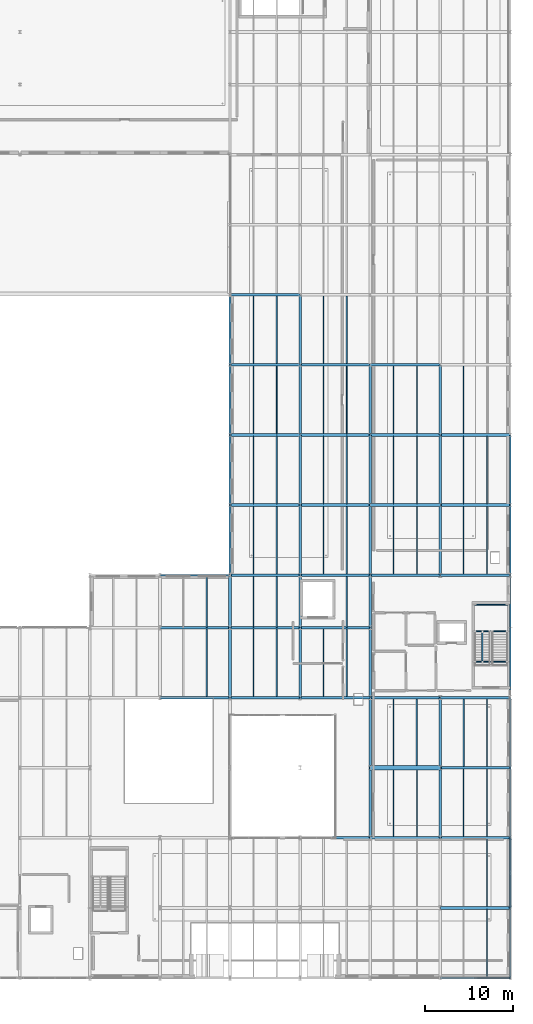
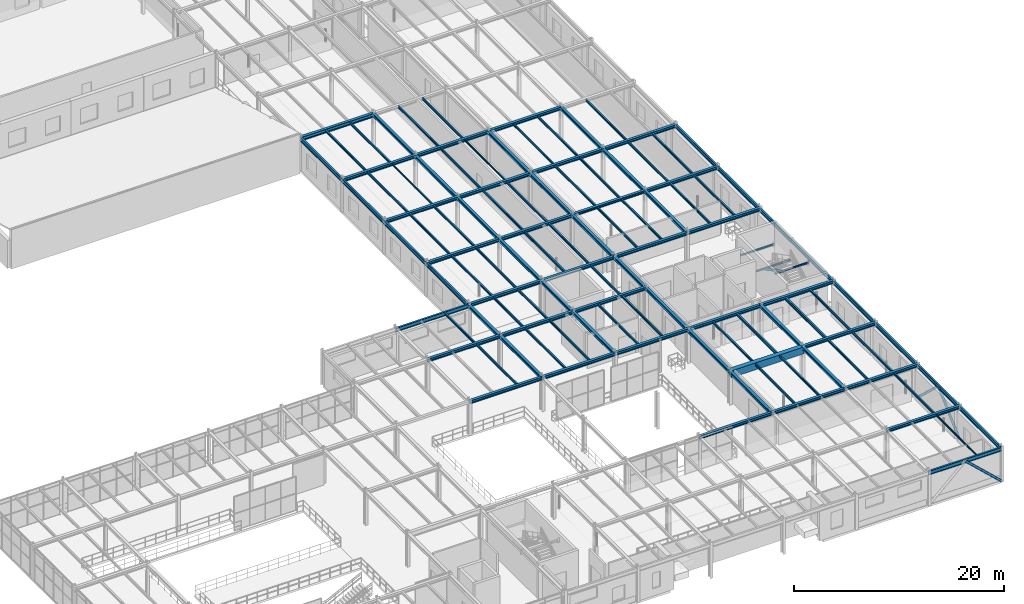
# One storey, part 66 of 124: 113 beams, 4 members.
"""IFC4 building model written with IfcOpenShell, lengths in metres."""

from ifc_helpers import new_model, si_unit, direction, frame, origin, origin_2d, place, context, subcontext, project, spatial, rectangle, hollow_circle, i_section, extrude, material, material_profile, profile_set, type_object, element, save


model = new_model("IFC4")

# Units and contexts
model_context = context("Model", 3, precision=1e-05, world=origin(), true_north=direction((0.0, 1.0)))
body_context = subcontext(model_context, "Body", "Model", "MODEL_VIEW")
ifc_project = project(units=[si_unit("LENGTHUNIT", "METRE"), si_unit("AREAUNIT", "SQUARE_METRE"), si_unit("VOLUMEUNIT", "CUBIC_METRE"), si_unit("PLANEANGLEUNIT", "RADIAN"), si_unit("MASSUNIT", "GRAM", prefix="KILO")], contexts=[model_context])

# Site, building, storey
site_placement = place(None, origin())
site = spatial("IfcSite", under=ifc_project, at=site_placement, CompositionType="ELEMENT")
building_placement = place(site_placement, origin())
building = spatial("IfcBuilding", under=site, at=building_placement, Name="Sundkrona Museum", CompositionType="ELEMENT")
storey_placement = place(building_placement, frame((0.0, 0.0, 17.60009765625)))
storey = spatial("IfcBuildingStorey", under=building, at=storey_placement, Name="L03", CompositionType="ELEMENT", Elevation=17.60009765625)

# Beams
ifc_material_1 = material(Name="Steel S355J2", Category="steel")
ifc_material_profile_1 = material_profile(ifc_material_1, i_section(OverallWidth=0.300048828125, OverallDepth=0.35009765625, WebThickness=0.010009765625, FlangeThickness=0.017578125, FilletRadius=0.027099609375, at=origin_2d()), Name="HEA 360")
ifc_profile_set_1 = profile_set([ifc_material_profile_1], Name="Steel S355J2")
beam_type_1 = type_object("IfcBeamType", Name="B-HEA360", PredefinedType="BEAM", material=ifc_profile_set_1)
for number, where, z_axis, x_axis, name in (
    (1, (160.0, 8.0, 3.784912109375), (1.0, 0.0, 0.0), (0.0, 1.0, 0.0), "L03 Girder X-1429"),
    (2, (144.0, 16.0, 3.784912109375), (1.0, 0.0, 0.0), (0.0, 1.0, 0.0), "L03 Girder X-1435"),
    (3, (152.0, 16.0, 3.784912109375), (1.0, 0.0, 0.0), (0.0, 1.0, 0.0), "L03 Girder X-1436"),
    (4, (160.0, 16.0, 3.784912109375), (1.0, 0.0, 0.0), (0.0, 1.0, 0.0), "L03 Girder X-1437"),
    (5, (160.0, 24.0, 3.784912109375), (1.0, 0.0, 0.0), (0.0, 1.0, 0.0), "L03 Girder X-1441"),
    (6, (128.0, 32.0, 3.784912109375), (1.0, 0.0, 0.0), (0.0, 1.0, 0.0), "L03 Girder X-1450"),
    (7, (136.0, 32.0, 3.784912109375), (1.0, 0.0, 0.0), (0.0, 1.0, 0.0), "L03 Girder X-1451"),
    (8, (144.0, 32.0, 3.784912109375), (1.0, 0.0, 0.0), (0.0, 1.0, 0.0), "L03 Girder X-1452"),
    (9, (152.0, 32.0, 3.784912109375), (1.0, 0.0, 0.0), (0.0, 1.0, 0.0), "L03 Girder X-1453"),
    (10, (160.0, 32.0, 3.784912109375), (1.0, 0.0, 0.0), (0.0, 1.0, 0.0), "L03 Girder X-1454"),
    (11, (128.0, 40.0, 3.784912109375), (1.0, 0.0, 0.0), (0.0, 1.0, 0.0), "L03 Girder X-1463"),
    (12, (136.0, 40.0, 3.784912109375), (1.0, 0.0, 0.0), (0.0, 1.0, 0.0), "L03 Girder X-1464"),
    (13, (144.0, 40.0, 3.784912109375), (1.0, 0.0, 0.0), (0.0, 1.0, 0.0), "L03 Girder X-1465"),
    (14, (136.0, 46.0, 3.724853515625), (1.0, 0.0, 0.0), (0.0, 1.0, 0.0), "L03 Girder X-1470"),
    (15, (144.0, 46.0, 3.724853515625), (1.0, 0.0, 0.0), (0.0, 1.0, 0.0), "L03 Girder X-1471"),
    (16, (152.0, 46.0, 3.724853515625), (1.0, 0.0, 0.0), (0.0, 1.0, 0.0), "L03 Girder X-1472"),
    (17, (160.0, 46.0, 3.724853515625), (1.0, 0.0, 0.0), (0.0, 1.0, 0.0), "L03 Girder X-1473"),
    (18, (136.0, 54.0, 3.724853515625), (1.0, 0.0, 0.0), (0.0, 1.0, 0.0), "L03 Girder X-1474"),
    (19, (144.0, 54.0, 3.724853515625), (1.0, 0.0, 0.0), (0.0, 1.0, 0.0), "L03 Girder X-1475"),
    (20, (160.0, 54.0, 3.724853515625), (1.0, 0.0, 0.0), (0.0, 1.0, 0.0), "L03 Girder X-1477"),
    (21, (136.0, 62.0, 3.724853515625), (1.0, 0.0, 0.0), (0.0, 1.0, 0.0), "L03 Girder X-1478"),
    (22, (144.0, 62.0, 3.724853515625), (1.0, 0.0, 0.0), (0.0, 1.0, 0.0), "L03 Girder X-1479"),
    (23, (152.0, 62.0, 3.724853515625), (1.0, 0.0, 0.0), (0.0, 1.0, 0.0), "L03 Girder X-1480"),
    (24, (160.0, 62.0, 3.724853515625), (1.0, 0.0, 0.0), (0.0, 1.0, 0.0), "L03 Girder X-1481"),
    (25, (136.0, 70.0, 3.724853515625), (1.0, 0.0, 0.0), (0.0, 1.0, 0.0), "L03 Girder X-1482"),
    (26, (144.0, 70.0, 3.724853515625), (1.0, 0.0, 0.0), (0.0, 1.0, 0.0), "L03 Girder X-1483"),
    (27, (152.0, 70.0, 3.724853515625), (1.0, 0.0, 0.0), (0.0, 1.0, 0.0), "L03 Girder X-1484"),
    (28, (136.0, 32.0, 3.784912109375), (0.0, 1.0, 0.0), (-1.0, 0.0, 0.0), "L03 Girder Y-1636"),
):
    element("IfcBeam", number, at=place(storey_placement, frame(where, z_axis=z_axis, x_axis=x_axis)), inside=storey, type_object=beam_type_1, Name=name, PredefinedType="BEAM", context=body_context, shape_type="SweptSolid", body=[
        extrude(i_section(OverallWidth=0.300048828125, OverallDepth=0.35009765625, WebThickness=0.010009765625, FlangeThickness=0.017578125, FilletRadius=0.027099609375, at=origin_2d()), origin(), (0.0, 0.0, 1.0), 8.0),
    ])
beam_1_placement = place(storey_placement, frame((136.0, 40.0, 3.724853515625), z_axis=(0.0, 1.0, 0.0), x_axis=(-1.0, 0.0, 0.0)))
element("IfcBeam", 29, at=beam_1_placement, inside=storey, type_object=beam_type_1, Name="L03 Girder Y-1637", PredefinedType="BEAM", context=body_context, shape_type="SweptSolid", body=[
    extrude(i_section(OverallWidth=0.300048828125, OverallDepth=0.35009765625, WebThickness=0.010009765625, FlangeThickness=0.017578125, FilletRadius=0.027099609375, at=origin_2d()), origin(), (0.0, 0.0, 1.0), 6.0),
])
beam_2_placement = place(storey_placement, frame((144.0, 32.0, 3.784912109375), z_axis=(0.0, 1.0, 0.0), x_axis=(-1.0, 0.0, 0.0)))
element("IfcBeam", 30, at=beam_2_placement, inside=storey, type_object=beam_type_1, Name="L03 Girder Y-1649", PredefinedType="BEAM", context=body_context, shape_type="SweptSolid", body=[
    extrude(i_section(OverallWidth=0.300048828125, OverallDepth=0.35009765625, WebThickness=0.010009765625, FlangeThickness=0.017578125, FilletRadius=0.027099609375, at=origin_2d()), origin(), (0.0, 0.0, 1.0), 8.0),
])
beam_3_placement = place(storey_placement, frame((144.0, 40.0, 3.724853515625), z_axis=(0.0, 1.0, 0.0), x_axis=(-1.0, 0.0, 0.0)))
element("IfcBeam", 31, at=beam_3_placement, inside=storey, type_object=beam_type_1, Name="L03 Girder Y-1650", PredefinedType="BEAM", context=body_context, shape_type="SweptSolid", body=[
    extrude(i_section(OverallWidth=0.300048828125, OverallDepth=0.35009765625, WebThickness=0.010009765625, FlangeThickness=0.017578125, FilletRadius=0.027099609375, at=origin_2d()), origin(), (0.0, 0.0, 1.0), 6.0),
])
for number, where, z_axis, x_axis, name in (
    (32, (144.0, 46.0, 3.724853515625), (0.0, 1.0, 0.0), (-1.0, 0.0, 0.0), "L03 Girder Y-1651"),
    (33, (144.0, 54.0, 3.724853515625), (0.0, 1.0, 0.0), (-1.0, 0.0, 0.0), "L03 Girder Y-1652"),
    (34, (144.0, 62.0, 3.724853515625), (0.0, 1.0, 0.0), (-1.0, 0.0, 0.0), "L03 Girder Y-1653"),
    (35, (144.0, 70.0, 3.724853515625), (0.0, 1.0, 0.0), (-1.0, 0.0, 0.0), "L03 Girder Y-1654"),
    (36, (152.0, 16.0, 3.784912109375), (0.0, 1.0, 0.0), (-1.0, 0.0, 0.0), "L03 Girder Y-1662"),
    (37, (152.0, 24.0, 3.784912109375), (0.0, 1.0, 0.0), (-1.0, 0.0, 0.0), "L03 Girder Y-1663"),
    (38, (152.0, 32.0, 3.784912109375), (0.0, 1.0, 0.0), (-1.0, 0.0, 0.0), "L03 Girder Y-1664"),
):
    element("IfcBeam", number, at=place(storey_placement, frame(where, z_axis=z_axis, x_axis=x_axis)), inside=storey, type_object=beam_type_1, Name=name, PredefinedType="BEAM", context=body_context, shape_type="SweptSolid", body=[
        extrude(i_section(OverallWidth=0.300048828125, OverallDepth=0.35009765625, WebThickness=0.010009765625, FlangeThickness=0.017578125, FilletRadius=0.027099609375, at=origin_2d()), origin(), (0.0, 0.0, 1.0), 8.0),
    ])
beam_4_placement = place(storey_placement, frame((152.0, 40.0, 3.724853515625), z_axis=(0.0, 1.0, 0.0), x_axis=(-1.0, 0.0, 0.0)))
element("IfcBeam", 39, at=beam_4_placement, inside=storey, type_object=beam_type_1, Name="L03 Girder Y-1665", PredefinedType="BEAM", context=body_context, shape_type="SweptSolid", body=[
    extrude(i_section(OverallWidth=0.300048828125, OverallDepth=0.35009765625, WebThickness=0.010009765625, FlangeThickness=0.017578125, FilletRadius=0.027099609375, at=origin_2d()), origin(), (0.0, 0.0, 1.0), 6.0),
])
for number, where, z_axis, x_axis, name in (
    (40, (152.0, 46.0, 3.724853515625), (0.0, 1.0, 0.0), (-1.0, 0.0, 0.0), "L03 Girder Y-1666"),
    (41, (152.0, 54.0, 3.724853515625), (0.0, 1.0, 0.0), (-1.0, 0.0, 0.0), "L03 Girder Y-1667"),
    (42, (152.0, 62.0, 3.724853515625), (0.0, 1.0, 0.0), (-1.0, 0.0, 0.0), "L03 Girder Y-1668"),
    (43, (160.0, 16.0, 3.784912109375), (0.0, 1.0, 0.0), (-1.0, 0.0, 0.0), "L03 Girder Y-1677"),
    (44, (160.0, 24.0, 3.784912109375), (0.0, 1.0, 0.0), (-1.0, 0.0, 0.0), "L03 Girder Y-1678"),
    (45, (160.0, 46.0, 3.724853515625), (0.0, 1.0, 0.0), (-1.0, 0.0, 0.0), "L03 Girder Y-1679"),
    (46, (160.0, 54.0, 3.724853515625), (0.0, 1.0, 0.0), (-1.0, 0.0, 0.0), "L03 Girder Y-1680"),
    (47, (160.0, 62.0, 3.724853515625), (0.0, 1.0, 0.0), (-1.0, 0.0, 0.0), "L03 Girder Y-1681"),
):
    element("IfcBeam", number, at=place(storey_placement, frame(where, z_axis=z_axis, x_axis=x_axis)), inside=storey, type_object=beam_type_1, Name=name, PredefinedType="BEAM", context=body_context, shape_type="SweptSolid", body=[
        extrude(i_section(OverallWidth=0.300048828125, OverallDepth=0.35009765625, WebThickness=0.010009765625, FlangeThickness=0.017578125, FilletRadius=0.027099609375, at=origin_2d()), origin(), (0.0, 0.0, 1.0), 8.0),
    ])
ifc_material_profile_2 = material_profile(ifc_material_1, i_section(OverallWidth=0.300048828125, OverallDepth=0.300048828125, WebThickness=0.010986328125, FlangeThickness=0.01904296875, FilletRadius=0.027099609375, at=origin_2d()), Name="HEB 300")
ifc_profile_set_2 = profile_set([ifc_material_profile_2], Name="Steel S355J2")
beam_type_2 = type_object("IfcBeamType", Name="B-HEB300", PredefinedType="BEAM", material=ifc_profile_set_2)
beam_5_placement = place(storey_placement, frame((152.0, 54.0, 3.75), z_axis=(1.0, 0.0, 0.0), x_axis=(0.0, 1.0, 0.0)))
element("IfcBeam", 48, at=beam_5_placement, inside=storey, type_object=beam_type_2, Name="L03 Girder X-1476", PredefinedType="BEAM", context=body_context, shape_type="SweptSolid", body=[
    extrude(i_section(OverallWidth=0.300048828125, OverallDepth=0.300048828125, WebThickness=0.010986328125, FlangeThickness=0.01904296875, FilletRadius=0.027099609375, at=origin_2d()), origin(), (0.0, 0.0, 1.0), 8.0),
])
ifc_material_profile_3 = material_profile(ifc_material_1, i_section(OverallWidth=0.300048828125, OverallDepth=0.449951171875, WebThickness=0.013916015625, FlangeThickness=0.02587890625, FilletRadius=0.027099609375, at=origin_2d()), Name="HEB 450")
ifc_profile_set_3 = profile_set([ifc_material_profile_3], Name="Steel S355J2")
beam_type_3 = type_object("IfcBeamType", Name="B-HEB450", PredefinedType="BEAM", material=ifc_profile_set_3)
beam_6_placement = place(storey_placement, frame((136.0, 78.0, 3.6748046875), z_axis=(1.0, 0.0, 0.0), x_axis=(0.0, 1.0, 0.0)))
element("IfcBeam", 49, at=beam_6_placement, inside=storey, type_object=beam_type_3, Name="L03 Girder X-1494", PredefinedType="BEAM", context=body_context, shape_type="SweptSolid", body=[
    extrude(i_section(OverallWidth=0.300048828125, OverallDepth=0.449951171875, WebThickness=0.013916015625, FlangeThickness=0.02587890625, FilletRadius=0.027099609375, at=origin_2d()), origin(), (0.0, 0.0, 1.0), 8.0),
])
ifc_material_2 = material(Name="Concrete C40/50", Category="concrete")
ifc_material_profile_4 = material_profile(ifc_material_2, rectangle(XDim=0.5, YDim=0.800048828125, at=origin_2d()), Name="RCB 500x800")
ifc_profile_set_4 = profile_set([ifc_material_profile_4], Name="Concrete C40/50")
beam_type_4 = type_object("IfcBeamType", Name="B-RC500", PredefinedType="BEAM", material=ifc_profile_set_4)
beam_7_placement = place(storey_placement, frame((152.0, 24.0, 3.559814453125), z_axis=(1.0, 0.0, 0.0), x_axis=(0.0, 1.0, 0.0)))
element("IfcBeam", 50, at=beam_7_placement, inside=storey, type_object=beam_type_4, Name="L03 Girder X-1440", PredefinedType="BEAM", context=body_context, shape_type="SweptSolid", body=[
    extrude(rectangle(XDim=0.5, YDim=0.800048828125, at=origin_2d()), origin(), (0.0, 0.0, 1.0), 8.0),
])

# Members
ifc_material_profile_5 = material_profile(ifc_material_1, hollow_circle(Radius=0.136474609375, WallThickness=0.012451171875, at=origin_2d()), Name="CHS 273.0x12.5")
ifc_profile_set_5 = profile_set([ifc_material_profile_5], Name="Steel S355J2")
member_type_1 = type_object("IfcMemberType", Name="BR-CHS273", PredefinedType="BRACE", material=ifc_profile_set_5)
for number, where, z_axis, x_axis, name in (
    (51, (168.0, 0.0, 0.0), (-0.730448607788, 0.0, 0.68296766496), (0.0, -1.0, 0.0), "CBR-1 L03 Concentric Chevron Brace 005B"),
    (52, (168.0, 8.0, 0.0), (0.0, 0.730448607788, 0.68296766496), (-1.0, 0.0, 0.0), "CBR-1 L03 Concentric Chevron Brace 011A"),
    (53, (168.0, 16.0, 0.0), (0.0, -0.730448607788, 0.68296766496), (1.0, 0.0, 0.0), "CBR-1 L03 Concentric Chevron Brace 011B"),
):
    element("IfcMember", number, at=place(storey_placement, frame(where, z_axis=z_axis, x_axis=x_axis)), inside=storey, type_object=member_type_1, Name=name, PredefinedType="BRACE", context=body_context, shape_type="SweptSolid", body=[
        extrude(hollow_circle(Radius=0.136474609375, WallThickness=0.012451171875, at=origin_2d()), origin(), (0.0, 0.0, 1.0), 5.47607421875),
    ])
ifc_material_profile_6 = material_profile(ifc_material_1, i_section(OverallWidth=0.135009765625, OverallDepth=0.27001953125, WebThickness=0.006591796875, FlangeThickness=0.01025390625, FilletRadius=0.014892578125, at=origin_2d()), Name="IPE 270")
ifc_profile_set_6 = profile_set([ifc_material_profile_6], Name="Steel S355J2")
member_type_2 = type_object("IfcMemberType", Name="BR-IPE270", PredefinedType="BRACE", material=ifc_profile_set_6)
member_placement = place(storey_placement, frame((164.800048828125, 39.534912109375, 1.77978515625), z_axis=(0.0, -0.882182779908, 0.470907148846), x_axis=(1.0, 0.0, 0.0)))
element("IfcMember", 54, at=member_placement, inside=storey, type_object=member_type_2, Name="SRK-1 L03 ST-1 Flight 2 Inclined Carriage Raker", PredefinedType="BRACE", context=body_context, shape_type="SweptSolid", body=[
    extrude(i_section(OverallWidth=0.135009765625, OverallDepth=0.27001953125, WebThickness=0.006591796875, FlangeThickness=0.01025390625, FilletRadius=0.014892578125, at=origin_2d()), origin(), (0.0, 0.0, 1.0), 3.8935546875),
])

# Beams
ifc_material_profile_7 = material_profile(ifc_material_1, i_section(OverallWidth=0.091064453125, OverallDepth=0.179931640625, WebThickness=0.00537109375, FlangeThickness=0.008056640625, FilletRadius=0.009033203125, at=origin_2d()), Name="IPE 180")
ifc_profile_set_7 = profile_set([ifc_material_profile_7], Name="Steel S355J2")
beam_type_5 = type_object("IfcBeamType", Name="J-IPE180", PredefinedType="JOIST", material=ifc_profile_set_7)
beam_8_placement = place(storey_placement, frame((141.333251953125, 62.14404296875, 3.809814453125), z_axis=(0.0, 1.0, 0.0), x_axis=(-1.0, 0.0, 0.0)))
element("IfcBeam", 55, at=beam_8_placement, inside=storey, type_object=beam_type_5, Name="L03 Composite Joist 1095", PredefinedType="JOIST", context=body_context, shape_type="SweptSolid", body=[
    extrude(i_section(OverallWidth=0.091064453125, OverallDepth=0.179931640625, WebThickness=0.00537109375, FlangeThickness=0.008056640625, FilletRadius=0.009033203125, at=origin_2d()), origin(), (0.0, 0.0, 1.0), 7.7119140625),
])
ifc_material_profile_8 = material_profile(ifc_material_1, i_section(OverallWidth=0.10009765625, OverallDepth=0.199951171875, WebThickness=0.005615234375, FlangeThickness=0.008544921875, FilletRadius=0.011962890625, at=origin_2d()), Name="IPE 200")
ifc_profile_set_8 = profile_set([ifc_material_profile_8], Name="Steel S355J2")
beam_type_6 = type_object("IfcBeamType", Name="J-IPE200", PredefinedType="JOIST", material=ifc_profile_set_8)
beam_9_placement = place(storey_placement, frame((149.333251953125, 62.14404296875, 3.7998046875), z_axis=(0.0, 1.0, 0.0), x_axis=(-1.0, 0.0, 0.0)))
element("IfcBeam", 56, at=beam_9_placement, inside=storey, type_object=beam_type_6, Name="L03 Composite Joist 1120", PredefinedType="JOIST", context=body_context, shape_type="SweptSolid", body=[
    extrude(i_section(OverallWidth=0.10009765625, OverallDepth=0.199951171875, WebThickness=0.005615234375, FlangeThickness=0.008544921875, FilletRadius=0.011962890625, at=origin_2d()), origin(), (0.0, 0.0, 1.0), 7.7119140625),
])
beam_10_placement = place(storey_placement, frame((165.333251953125, 0.089111328125, 3.85986328125), z_axis=(0.0, 1.0, 0.0), x_axis=(-1.0, 0.0, 0.0)))
element("IfcBeam", 57, at=beam_10_placement, inside=storey, type_object=beam_type_6, Name="L03 Composite Joist 1160", PredefinedType="JOIST", context=body_context, shape_type="SweptSolid", body=[
    extrude(i_section(OverallWidth=0.10009765625, OverallDepth=0.199951171875, WebThickness=0.005615234375, FlangeThickness=0.008544921875, FilletRadius=0.011962890625, at=origin_2d()), origin(), (0.0, 0.0, 1.0), 7.766845703125),
])
for number, where, z_axis, x_axis, name in (
    (58, (163.909912109375, 39.598388671875, 1.77978515625), (1.0, 0.0, 0.0), (0.0, 1.0, 0.0), "L03 ST-1 Mid-Landing Trimmer Beam 1A"),
    (59, (163.909912109375, 42.63671875, 1.77978515625), (1.0, 0.0, 0.0), (0.0, 1.0, 0.0), "L03 ST-1 Mid-Landing Trimmer Beam 1B"),
    (60, (163.909912109375, 36.10009765625, 3.61328125), (1.0, 0.0, 0.0), (0.0, 1.0, 0.0), "L03 ST-1 Flight 2 Arrival Header Beam"),
):
    element("IfcBeam", number, at=place(storey_placement, frame(where, z_axis=z_axis, x_axis=x_axis)), inside=storey, type_object=beam_type_6, Name=name, PredefinedType="JOIST", context=body_context, shape_type="SweptSolid", body=[
        extrude(i_section(OverallWidth=0.10009765625, OverallDepth=0.199951171875, WebThickness=0.005615234375, FlangeThickness=0.008544921875, FilletRadius=0.011962890625, at=origin_2d()), origin(), (0.0, 0.0, 1.0), 3.780029296875),
    ])
ifc_material_profile_9 = material_profile(ifc_material_1, i_section(OverallWidth=0.1201171875, OverallDepth=0.239990234375, WebThickness=0.006103515625, FlangeThickness=0.009765625, FilletRadius=0.014892578125, at=origin_2d()), Name="IPE 240")
ifc_profile_set_9 = profile_set([ifc_material_profile_9], Name="Steel S355J2")
beam_type_7 = type_object("IfcBeamType", Name="J-IPE240", PredefinedType="JOIST", material=ifc_profile_set_9)
beam_11_placement = place(storey_placement, frame((154.666748046875, 62.14404296875, 3.77978515625), z_axis=(0.0, 1.0, 0.0), x_axis=(-1.0, 0.0, 0.0)))
element("IfcBeam", 61, at=beam_11_placement, inside=storey, type_object=beam_type_7, Name="L03 Composite Joist 1145", PredefinedType="JOIST", context=body_context, shape_type="SweptSolid", body=[
    extrude(i_section(OverallWidth=0.1201171875, OverallDepth=0.239990234375, WebThickness=0.006103515625, FlangeThickness=0.009765625, FilletRadius=0.014892578125, at=origin_2d()), origin(), (0.0, 0.0, 1.0), 7.7119140625),
])
ifc_material_profile_10 = material_profile(ifc_material_1, i_section(OverallWidth=0.135009765625, OverallDepth=0.27001953125, WebThickness=0.006591796875, FlangeThickness=0.01025390625, FilletRadius=0.014892578125, at=origin_2d()), Name="IPE 270")
ifc_profile_set_10 = profile_set([ifc_material_profile_10], Name="Steel S355J2")
beam_type_8 = type_object("IfcBeamType", Name="J-IPE270", PredefinedType="JOIST", material=ifc_profile_set_10)
beam_12_placement = place(storey_placement, frame((133.333251953125, 32.14404296875, 3.824951171875), z_axis=(0.0, 1.0, 0.0), x_axis=(-1.0, 0.0, 0.0)))
element("IfcBeam", 62, at=beam_12_placement, inside=storey, type_object=beam_type_8, Name="L03 Composite Joist 1079", PredefinedType="JOIST", context=body_context, shape_type="SweptSolid", body=[
    extrude(i_section(OverallWidth=0.135009765625, OverallDepth=0.27001953125, WebThickness=0.006591796875, FlangeThickness=0.01025390625, FilletRadius=0.014892578125, at=origin_2d()), origin(), (0.0, 0.0, 1.0), 7.7119140625),
])
beam_13_placement = place(storey_placement, frame((133.333251953125, 40.014892578125, 3.764892578125), z_axis=(0.0, 1.0, 0.0), x_axis=(-1.0, 0.0, 0.0)))
element("IfcBeam", 63, at=beam_13_placement, inside=storey, type_object=beam_type_8, Name="L03 Composite Joist 1081", PredefinedType="JOIST", context=body_context, shape_type="SweptSolid", body=[
    extrude(i_section(OverallWidth=0.135009765625, OverallDepth=0.27001953125, WebThickness=0.006591796875, FlangeThickness=0.01025390625, FilletRadius=0.014892578125, at=origin_2d()), origin(), (0.0, 0.0, 1.0), 5.89599609375),
])
for number, where, z_axis, x_axis, name in (
    (64, (138.666748046875, 32.14404296875, 3.824951171875), (0.0, 1.0, 0.0), (-1.0, 0.0, 0.0), "L03 Composite Joist 1086"),
    (65, (141.333251953125, 32.14404296875, 3.824951171875), (0.0, 1.0, 0.0), (-1.0, 0.0, 0.0), "L03 Composite Joist 1087"),
):
    element("IfcBeam", number, at=place(storey_placement, frame(where, z_axis=z_axis, x_axis=x_axis)), inside=storey, type_object=beam_type_8, Name=name, PredefinedType="JOIST", context=body_context, shape_type="SweptSolid", body=[
        extrude(i_section(OverallWidth=0.135009765625, OverallDepth=0.27001953125, WebThickness=0.006591796875, FlangeThickness=0.01025390625, FilletRadius=0.014892578125, at=origin_2d()), origin(), (0.0, 0.0, 1.0), 7.7119140625),
    ])
for number, where, z_axis, x_axis, name in (
    (66, (138.666748046875, 40.014892578125, 3.764892578125), (0.0, 1.0, 0.0), (-1.0, 0.0, 0.0), "L03 Composite Joist 1088"),
    (67, (141.333251953125, 40.014892578125, 3.764892578125), (0.0, 1.0, 0.0), (-1.0, 0.0, 0.0), "L03 Composite Joist 1089"),
):
    element("IfcBeam", number, at=place(storey_placement, frame(where, z_axis=z_axis, x_axis=x_axis)), inside=storey, type_object=beam_type_8, Name=name, PredefinedType="JOIST", context=body_context, shape_type="SweptSolid", body=[
        extrude(i_section(OverallWidth=0.135009765625, OverallDepth=0.27001953125, WebThickness=0.006591796875, FlangeThickness=0.01025390625, FilletRadius=0.014892578125, at=origin_2d()), origin(), (0.0, 0.0, 1.0), 5.841064453125),
    ])
for number, where, z_axis, x_axis, name in (
    (68, (138.666748046875, 46.14404296875, 3.764892578125), (0.0, 1.0, 0.0), (-1.0, 0.0, 0.0), "L03 Composite Joist 1090"),
    (69, (141.333251953125, 46.14404296875, 3.764892578125), (0.0, 1.0, 0.0), (-1.0, 0.0, 0.0), "L03 Composite Joist 1091"),
    (70, (138.666748046875, 54.14404296875, 3.764892578125), (0.0, 1.0, 0.0), (-1.0, 0.0, 0.0), "L03 Composite Joist 1092"),
    (71, (141.333251953125, 54.14404296875, 3.764892578125), (0.0, 1.0, 0.0), (-1.0, 0.0, 0.0), "L03 Composite Joist 1093"),
    (72, (138.666748046875, 62.14404296875, 3.764892578125), (0.0, 1.0, 0.0), (-1.0, 0.0, 0.0), "L03 Composite Joist 1094"),
    (73, (138.666748046875, 70.14404296875, 3.764892578125), (0.0, 1.0, 0.0), (-1.0, 0.0, 0.0), "L03 Composite Joist 1096"),
    (74, (141.333251953125, 70.14404296875, 3.764892578125), (0.0, 1.0, 0.0), (-1.0, 0.0, 0.0), "L03 Composite Joist 1097"),
    (75, (146.666748046875, 32.14404296875, 3.824951171875), (0.0, 1.0, 0.0), (-1.0, 0.0, 0.0), "L03 Composite Joist 1112"),
    (76, (149.333251953125, 32.14404296875, 3.824951171875), (0.0, 1.0, 0.0), (-1.0, 0.0, 0.0), "L03 Composite Joist 1113"),
):
    element("IfcBeam", number, at=place(storey_placement, frame(where, z_axis=z_axis, x_axis=x_axis)), inside=storey, type_object=beam_type_8, Name=name, PredefinedType="JOIST", context=body_context, shape_type="SweptSolid", body=[
        extrude(i_section(OverallWidth=0.135009765625, OverallDepth=0.27001953125, WebThickness=0.006591796875, FlangeThickness=0.01025390625, FilletRadius=0.014892578125, at=origin_2d()), origin(), (0.0, 0.0, 1.0), 7.7119140625),
    ])
beam_14_placement = place(storey_placement, frame((149.333251953125, 40.014892578125, 3.764892578125), z_axis=(0.0, 1.0, 0.0), x_axis=(-1.0, 0.0, 0.0)))
element("IfcBeam", 77, at=beam_14_placement, inside=storey, type_object=beam_type_8, Name="L03 Composite Joist 1114", PredefinedType="JOIST", context=body_context, shape_type="SweptSolid", body=[
    extrude(i_section(OverallWidth=0.135009765625, OverallDepth=0.27001953125, WebThickness=0.006591796875, FlangeThickness=0.01025390625, FilletRadius=0.014892578125, at=origin_2d()), origin(), (0.0, 0.0, 1.0), 5.841064453125),
])
for number, where, z_axis, x_axis, name in (
    (78, (149.333251953125, 46.14404296875, 3.764892578125), (0.0, 1.0, 0.0), (-1.0, 0.0, 0.0), "L03 Composite Joist 1116"),
    (79, (146.666748046875, 54.14404296875, 3.764892578125), (0.0, 1.0, 0.0), (-1.0, 0.0, 0.0), "L03 Composite Joist 1117"),
    (80, (149.333251953125, 54.14404296875, 3.764892578125), (0.0, 1.0, 0.0), (-1.0, 0.0, 0.0), "L03 Composite Joist 1118"),
    (81, (146.666748046875, 62.14404296875, 3.764892578125), (0.0, 1.0, 0.0), (-1.0, 0.0, 0.0), "L03 Composite Joist 1119"),
    (82, (146.666748046875, 70.14404296875, 3.764892578125), (0.0, 1.0, 0.0), (-1.0, 0.0, 0.0), "L03 Composite Joist 1121"),
    (83, (149.333251953125, 70.14404296875, 3.764892578125), (0.0, 1.0, 0.0), (-1.0, 0.0, 0.0), "L03 Composite Joist 1122"),
):
    element("IfcBeam", number, at=place(storey_placement, frame(where, z_axis=z_axis, x_axis=x_axis)), inside=storey, type_object=beam_type_8, Name=name, PredefinedType="JOIST", context=body_context, shape_type="SweptSolid", body=[
        extrude(i_section(OverallWidth=0.135009765625, OverallDepth=0.27001953125, WebThickness=0.006591796875, FlangeThickness=0.01025390625, FilletRadius=0.014892578125, at=origin_2d()), origin(), (0.0, 0.0, 1.0), 7.7119140625),
    ])
for number, where, z_axis, x_axis, name in (
    (84, (154.666748046875, 16.14404296875, 3.824951171875), (0.0, 1.0, 0.0), (-1.0, 0.0, 0.0), "L03 Composite Joist 1137"),
    (85, (157.333251953125, 16.14404296875, 3.824951171875), (0.0, 1.0, 0.0), (-1.0, 0.0, 0.0), "L03 Composite Joist 1138"),
    (86, (154.666748046875, 24.243896484375, 3.824951171875), (0.0, 1.0, 0.0), (-1.0, 0.0, 0.0), "L03 Composite Joist 1139"),
):
    element("IfcBeam", number, at=place(storey_placement, frame(where, z_axis=z_axis, x_axis=x_axis)), inside=storey, type_object=beam_type_8, Name=name, PredefinedType="JOIST", context=body_context, shape_type="SweptSolid", body=[
        extrude(i_section(OverallWidth=0.135009765625, OverallDepth=0.27001953125, WebThickness=0.006591796875, FlangeThickness=0.01025390625, FilletRadius=0.014892578125, at=origin_2d()), origin(), (0.0, 0.0, 1.0), 7.612060546875),
    ])
for number, where, z_axis, x_axis, name in (
    (87, (154.666748046875, 46.14404296875, 3.764892578125), (0.0, 1.0, 0.0), (-1.0, 0.0, 0.0), "L03 Composite Joist 1141"),
    (88, (157.333251953125, 46.14404296875, 3.764892578125), (0.0, 1.0, 0.0), (-1.0, 0.0, 0.0), "L03 Composite Joist 1142"),
    (89, (154.666748046875, 54.14404296875, 3.764892578125), (0.0, 1.0, 0.0), (-1.0, 0.0, 0.0), "L03 Composite Joist 1143"),
    (90, (157.333251953125, 54.14404296875, 3.764892578125), (0.0, 1.0, 0.0), (-1.0, 0.0, 0.0), "L03 Composite Joist 1144"),
    (91, (157.333251953125, 62.14404296875, 3.764892578125), (0.0, 1.0, 0.0), (-1.0, 0.0, 0.0), "L03 Composite Joist 1146"),
    (92, (165.333251953125, 8.14404296875, 3.824951171875), (0.0, 1.0, 0.0), (-1.0, 0.0, 0.0), "L03 Composite Joist 1162"),
    (93, (162.666748046875, 16.14404296875, 3.824951171875), (0.0, 1.0, 0.0), (-1.0, 0.0, 0.0), "L03 Composite Joist 1163"),
    (94, (165.333251953125, 16.14404296875, 3.824951171875), (0.0, 1.0, 0.0), (-1.0, 0.0, 0.0), "L03 Composite Joist 1164"),
    (95, (165.333251953125, 24.14404296875, 3.824951171875), (0.0, 1.0, 0.0), (-1.0, 0.0, 0.0), "L03 Composite Joist 1166"),
    (96, (162.666748046875, 46.14404296875, 3.764892578125), (0.0, 1.0, 0.0), (-1.0, 0.0, 0.0), "L03 Composite Joist 1167"),
    (97, (165.333251953125, 46.14404296875, 3.764892578125), (0.0, 1.0, 0.0), (-1.0, 0.0, 0.0), "L03 Composite Joist 1168"),
    (98, (162.666748046875, 54.14404296875, 3.764892578125), (0.0, 1.0, 0.0), (-1.0, 0.0, 0.0), "L03 Composite Joist 1169"),
    (99, (165.333251953125, 54.14404296875, 3.764892578125), (0.0, 1.0, 0.0), (-1.0, 0.0, 0.0), "L03 Composite Joist 1170"),
    (100, (162.666748046875, 62.14404296875, 3.764892578125), (0.0, 1.0, 0.0), (-1.0, 0.0, 0.0), "L03 Composite Joist 1171"),
):
    element("IfcBeam", number, at=place(storey_placement, frame(where, z_axis=z_axis, x_axis=x_axis)), inside=storey, type_object=beam_type_8, Name=name, PredefinedType="JOIST", context=body_context, shape_type="SweptSolid", body=[
        extrude(i_section(OverallWidth=0.135009765625, OverallDepth=0.27001953125, WebThickness=0.006591796875, FlangeThickness=0.01025390625, FilletRadius=0.014892578125, at=origin_2d()), origin(), (0.0, 0.0, 1.0), 7.7119140625),
    ])
ifc_material_profile_11 = material_profile(ifc_material_1, i_section(OverallWidth=0.14990234375, OverallDepth=0.300048828125, WebThickness=0.007080078125, FlangeThickness=0.0107421875, FilletRadius=0.014892578125, at=origin_2d()), Name="IPE 300")
ifc_profile_set_11 = profile_set([ifc_material_profile_11], Name="Steel S355J2")
beam_type_9 = type_object("IfcBeamType", Name="J-IPE300", PredefinedType="JOIST", material=ifc_profile_set_11)
beam_15_placement = place(storey_placement, frame((146.666748046875, 46.14404296875, 3.75), z_axis=(0.0, 1.0, 0.0), x_axis=(-1.0, 0.0, 0.0)))
element("IfcBeam", 101, at=beam_15_placement, inside=storey, type_object=beam_type_9, Name="L03 Composite Joist 1115", PredefinedType="JOIST", context=body_context, shape_type="SweptSolid", body=[
    extrude(i_section(OverallWidth=0.14990234375, OverallDepth=0.300048828125, WebThickness=0.007080078125, FlangeThickness=0.0107421875, FilletRadius=0.014892578125, at=origin_2d()), origin(), (0.0, 0.0, 1.0), 7.7119140625),
])
ifc_material_profile_12 = material_profile(ifc_material_1, i_section(OverallWidth=0.159912109375, OverallDepth=0.330078125, WebThickness=0.007568359375, FlangeThickness=0.011474609375, FilletRadius=0.01806640625, at=origin_2d()), Name="IPE 330")
ifc_profile_set_12 = profile_set([ifc_material_profile_12], Name="Steel S355J2")
beam_type_10 = type_object("IfcBeamType", Name="J-IPE330", PredefinedType="JOIST", material=ifc_profile_set_12)
beam_16_placement = place(storey_placement, frame((157.333251953125, 24.243896484375, 3.794921875), z_axis=(0.0, 1.0, 0.0), x_axis=(-1.0, 0.0, 0.0)))
element("IfcBeam", 102, at=beam_16_placement, inside=storey, type_object=beam_type_10, Name="L03 Composite Joist 1140", PredefinedType="JOIST", context=body_context, shape_type="SweptSolid", body=[
    extrude(i_section(OverallWidth=0.159912109375, OverallDepth=0.330078125, WebThickness=0.007568359375, FlangeThickness=0.011474609375, FilletRadius=0.01806640625, at=origin_2d()), origin(), (0.0, 0.0, 1.0), 7.612060546875),
])
ifc_material_profile_13 = material_profile(ifc_material_1, i_section(OverallWidth=0.169921875, OverallDepth=0.360107421875, WebThickness=0.008056640625, FlangeThickness=0.0126953125, FilletRadius=0.01806640625, at=origin_2d()), Name="IPE 360")
ifc_profile_set_13 = profile_set([ifc_material_profile_13], Name="Steel S355J2")
beam_type_11 = type_object("IfcBeamType", Name="J-IPE360", PredefinedType="JOIST", material=ifc_profile_set_13)
beam_17_placement = place(storey_placement, frame((162.666748046875, 24.14404296875, 3.77978515625), z_axis=(0.0, 1.0, 0.0), x_axis=(-1.0, 0.0, 0.0)))
element("IfcBeam", 103, at=beam_17_placement, inside=storey, type_object=beam_type_11, Name="L03 Composite Joist 1165", PredefinedType="JOIST", context=body_context, shape_type="SweptSolid", body=[
    extrude(i_section(OverallWidth=0.169921875, OverallDepth=0.360107421875, WebThickness=0.008056640625, FlangeThickness=0.0126953125, FilletRadius=0.01806640625, at=origin_2d()), origin(), (0.0, 0.0, 1.0), 7.7119140625),
])
ifc_material_profile_14 = material_profile(ifc_material_1, i_section(OverallWidth=0.18994140625, OverallDepth=0.449951171875, WebThickness=0.009521484375, FlangeThickness=0.0146484375, FilletRadius=0.02099609375, at=origin_2d()), Name="IPE 450")
ifc_profile_set_14 = profile_set([ifc_material_profile_14], Name="Steel S355J2")
beam_type_12 = type_object("IfcBeamType", Name="SP-IPE450", PredefinedType="SPANDREL", material=ifc_profile_set_14)
for number, where, z_axis, x_axis, name in (
    (104, (160.0, 0.0, 3.73486328125), (1.0, 0.0, 0.0), (0.0, 1.0, 0.0), "L03 Girder X-1420"),
    (105, (128.0, 46.0, 3.6748046875), (1.0, 0.0, 0.0), (0.0, 1.0, 0.0), "L03 Girder X-1469"),
    (106, (136.0, 46.0, 3.6748046875), (0.0, 1.0, 0.0), (-1.0, 0.0, 0.0), "L03 Girder Y-1638"),
    (107, (136.0, 54.0, 3.6748046875), (0.0, 1.0, 0.0), (-1.0, 0.0, 0.0), "L03 Girder Y-1639"),
    (108, (136.0, 62.0, 3.6748046875), (0.0, 1.0, 0.0), (-1.0, 0.0, 0.0), "L03 Girder Y-1640"),
    (109, (136.0, 70.0, 3.6748046875), (0.0, 1.0, 0.0), (-1.0, 0.0, 0.0), "L03 Girder Y-1641"),
    (110, (168.0, 0.0, 3.73486328125), (0.0, 1.0, 0.0), (-1.0, 0.0, 0.0), "L03 Girder Y-1688"),
    (111, (168.0, 8.0, 3.73486328125), (0.0, 1.0, 0.0), (-1.0, 0.0, 0.0), "L03 Girder Y-1689"),
    (112, (168.0, 16.0, 3.73486328125), (0.0, 1.0, 0.0), (-1.0, 0.0, 0.0), "L03 Girder Y-1690"),
    (113, (168.0, 24.0, 3.73486328125), (0.0, 1.0, 0.0), (-1.0, 0.0, 0.0), "L03 Girder Y-1691"),
    (114, (168.0, 32.0, 3.73486328125), (0.0, 1.0, 0.0), (-1.0, 0.0, 0.0), "L03 Girder Y-1692"),
):
    element("IfcBeam", number, at=place(storey_placement, frame(where, z_axis=z_axis, x_axis=x_axis)), inside=storey, type_object=beam_type_12, Name=name, PredefinedType="SPANDREL", context=body_context, shape_type="SweptSolid", body=[
        extrude(i_section(OverallWidth=0.18994140625, OverallDepth=0.449951171875, WebThickness=0.009521484375, FlangeThickness=0.0146484375, FilletRadius=0.02099609375, at=origin_2d()), origin(), (0.0, 0.0, 1.0), 8.0),
    ])
beam_18_placement = place(storey_placement, frame((168.0, 40.0, 3.6748046875), z_axis=(0.0, 1.0, 0.0), x_axis=(-1.0, 0.0, 0.0)))
element("IfcBeam", 115, at=beam_18_placement, inside=storey, type_object=beam_type_12, Name="L03 Girder Y-1693", PredefinedType="SPANDREL", context=body_context, shape_type="SweptSolid", body=[
    extrude(i_section(OverallWidth=0.18994140625, OverallDepth=0.449951171875, WebThickness=0.009521484375, FlangeThickness=0.0146484375, FilletRadius=0.02099609375, at=origin_2d()), origin(), (0.0, 0.0, 1.0), 6.0),
])
for number, where, z_axis, x_axis, name in (
    (116, (168.0, 46.0, 3.6748046875), (0.0, 1.0, 0.0), (-1.0, 0.0, 0.0), "L03 Girder Y-1694"),
    (117, (168.0, 54.0, 3.6748046875), (0.0, 1.0, 0.0), (-1.0, 0.0, 0.0), "L03 Girder Y-1695"),
):
    element("IfcBeam", number, at=place(storey_placement, frame(where, z_axis=z_axis, x_axis=x_axis)), inside=storey, type_object=beam_type_12, Name=name, PredefinedType="SPANDREL", context=body_context, shape_type="SweptSolid", body=[
        extrude(i_section(OverallWidth=0.18994140625, OverallDepth=0.449951171875, WebThickness=0.009521484375, FlangeThickness=0.0146484375, FilletRadius=0.02099609375, at=origin_2d()), origin(), (0.0, 0.0, 1.0), 8.0),
    ])

save(model, "model.ifc")
